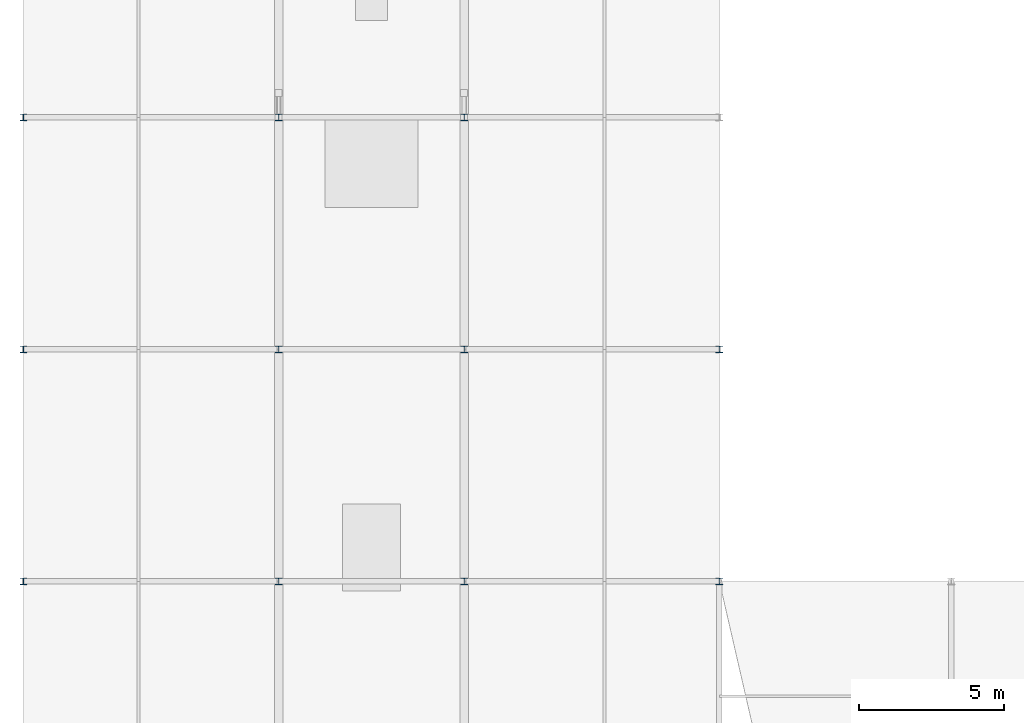
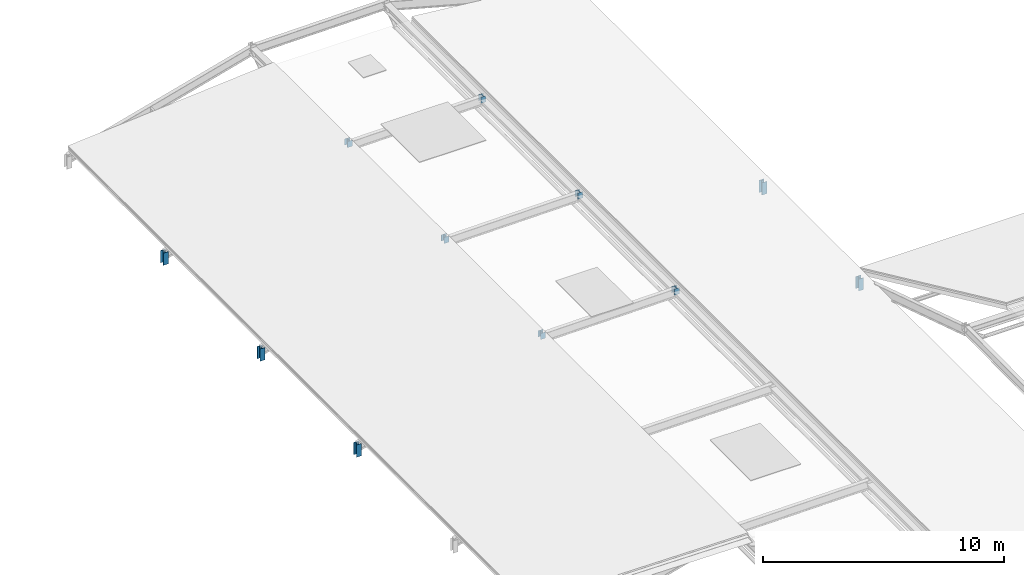
# One storey, part 21 of 54: 11 members.
"""IFC4 building model written with IfcOpenShell, lengths in metres."""

from ifc_helpers import new_model, si_unit, direction, frame, origin, origin_2d, place, context, subcontext, project, spatial, i_section, extrude, material, material_profile, profile_set, type_object, element, save


model = new_model("IFC4")

# Units and contexts
model_context = context("Model", 3, precision=1e-05, world=origin(), true_north=direction((0.0, 1.0)))
body_context = subcontext(model_context, "Body", "Model", "MODEL_VIEW")
ifc_project = project(units=[si_unit("LENGTHUNIT", "METRE"), si_unit("AREAUNIT", "SQUARE_METRE"), si_unit("VOLUMEUNIT", "CUBIC_METRE"), si_unit("PLANEANGLEUNIT", "RADIAN"), si_unit("MASSUNIT", "GRAM", prefix="KILO")], contexts=[model_context])

# Site, building, storey
site_placement = place(None, origin())
site = spatial("IfcSite", under=ifc_project, at=site_placement, CompositionType="ELEMENT")
building_placement = place(site_placement, origin())
building = spatial("IfcBuilding", under=site, at=building_placement, Name="Kenh Van Central Station", CompositionType="ELEMENT")
storey_placement = place(building_placement, frame((0.0, 0.0, 15.0)))
storey = spatial("IfcBuildingStorey", under=building, at=storey_placement, Name="L03", CompositionType="ELEMENT", Elevation=15.0)

# Members
ifc_material = material(Name="Steel S355", Category="steel")
ifc_material_profile = material_profile(ifc_material, i_section(OverallWidth=0.239990234375, OverallDepth=0.22998046875, WebThickness=0.007568359375, FlangeThickness=0.011962890625, FilletRadius=0.02099609375, at=origin_2d()), Name="HEA 240")
ifc_profile_set = profile_set([ifc_material_profile], Name="Steel S355")
member_type = type_object("IfcMemberType", Name="MEM-ROOF-POST240", PredefinedType="POST", material=ifc_profile_set)
member_1_placement = place(storey_placement, frame((48.0, 40.0, -0.949951171875), z_axis=(0.0, 0.0, 1.0), x_axis=(1.0, 0.0, 0.0)))
element("IfcMember", 1, at=member_1_placement, inside=storey, type_object=member_type, Name="L03 roof eave post 041", PredefinedType="POST", context=body_context, shape_type="SweptSolid", body=[
    extrude(i_section(OverallWidth=0.239990234375, OverallDepth=0.22998046875, WebThickness=0.007568359375, FlangeThickness=0.011962890625, FilletRadius=0.02099609375, at=origin_2d()), origin(), (0.0, 0.0, 1.0), 0.59814453125),
])
member_2_placement = place(storey_placement, frame((24.0, 40.0, -0.949951171875), z_axis=(0.0, 0.0, 1.0), x_axis=(1.0, 0.0, 0.0)))
element("IfcMember", 2, at=member_2_placement, inside=storey, type_object=member_type, Name="L03 roof eave post 108", PredefinedType="POST", context=body_context, shape_type="SweptSolid", body=[
    extrude(i_section(OverallWidth=0.239990234375, OverallDepth=0.22998046875, WebThickness=0.007568359375, FlangeThickness=0.011962890625, FilletRadius=0.02099609375, at=origin_2d()), origin(), (0.0, 0.0, 1.0), 0.619384765625),
])
for number, where, z_axis, x_axis, name in (
    (3, (32.800048828125, 40.0, 1.91943359375), (0.0, 0.0, 1.0), (1.0, 0.0, 0.0), "L03 crown skylight post 108"),
    (4, (39.199951171875, 40.0, 1.91943359375), (0.0, 0.0, 1.0), (1.0, 0.0, 0.0), "L03 crown skylight post 108"),
):
    element("IfcMember", number, at=place(storey_placement, frame(where, z_axis=z_axis, x_axis=x_axis)), inside=storey, type_object=member_type, Name=name, PredefinedType="POST", context=body_context, shape_type="SweptSolid", body=[
        extrude(i_section(OverallWidth=0.239990234375, OverallDepth=0.22998046875, WebThickness=0.007568359375, FlangeThickness=0.011962890625, FilletRadius=0.02099609375, at=origin_2d()), origin(), (0.0, 0.0, 1.0), 0.310546875),
    ])
for number, where, z_axis, x_axis, name in (
    (5, (24.0, 48.0, -0.949951171875), (0.0, 0.0, 1.0), (1.0, 0.0, 0.0), "L03 roof eave post 111"),
    (6, (48.0, 48.0, -0.949951171875), (0.0, 0.0, 1.0), (1.0, 0.0, 0.0), "L03 roof eave post 111"),
):
    element("IfcMember", number, at=place(storey_placement, frame(where, z_axis=z_axis, x_axis=x_axis)), inside=storey, type_object=member_type, Name=name, PredefinedType="POST", context=body_context, shape_type="SweptSolid", body=[
        extrude(i_section(OverallWidth=0.239990234375, OverallDepth=0.22998046875, WebThickness=0.007568359375, FlangeThickness=0.011962890625, FilletRadius=0.02099609375, at=origin_2d()), origin(), (0.0, 0.0, 1.0), 0.619384765625),
    ])
for number, where, z_axis, x_axis, name in (
    (7, (32.800048828125, 48.0, 1.91943359375), (0.0, 0.0, 1.0), (1.0, 0.0, 0.0), "L03 crown skylight post 111"),
    (8, (39.199951171875, 48.0, 1.91943359375), (0.0, 0.0, 1.0), (1.0, 0.0, 0.0), "L03 crown skylight post 111"),
):
    element("IfcMember", number, at=place(storey_placement, frame(where, z_axis=z_axis, x_axis=x_axis)), inside=storey, type_object=member_type, Name=name, PredefinedType="POST", context=body_context, shape_type="SweptSolid", body=[
        extrude(i_section(OverallWidth=0.239990234375, OverallDepth=0.22998046875, WebThickness=0.007568359375, FlangeThickness=0.011962890625, FilletRadius=0.02099609375, at=origin_2d()), origin(), (0.0, 0.0, 1.0), 0.310546875),
    ])
member_3_placement = place(storey_placement, frame((24.0, 56.0, -0.949951171875), z_axis=(0.0, 0.0, 1.0), x_axis=(1.0, 0.0, 0.0)))
element("IfcMember", 9, at=member_3_placement, inside=storey, type_object=member_type, Name="L03 roof eave post 114", PredefinedType="POST", context=body_context, shape_type="SweptSolid", body=[
    extrude(i_section(OverallWidth=0.239990234375, OverallDepth=0.22998046875, WebThickness=0.007568359375, FlangeThickness=0.011962890625, FilletRadius=0.02099609375, at=origin_2d()), origin(), (0.0, 0.0, 1.0), 0.619384765625),
])
for number, where, z_axis, x_axis, name in (
    (10, (32.800048828125, 56.0, 1.91943359375), (0.0, 0.0, 1.0), (1.0, 0.0, 0.0), "L03 crown skylight post 114"),
    (11, (39.199951171875, 56.0, 1.91943359375), (0.0, 0.0, 1.0), (1.0, 0.0, 0.0), "L03 crown skylight post 114"),
):
    element("IfcMember", number, at=place(storey_placement, frame(where, z_axis=z_axis, x_axis=x_axis)), inside=storey, type_object=member_type, Name=name, PredefinedType="POST", context=body_context, shape_type="SweptSolid", body=[
        extrude(i_section(OverallWidth=0.239990234375, OverallDepth=0.22998046875, WebThickness=0.007568359375, FlangeThickness=0.011962890625, FilletRadius=0.02099609375, at=origin_2d()), origin(), (0.0, 0.0, 1.0), 0.310546875),
    ])

save(model, "model.ifc")
